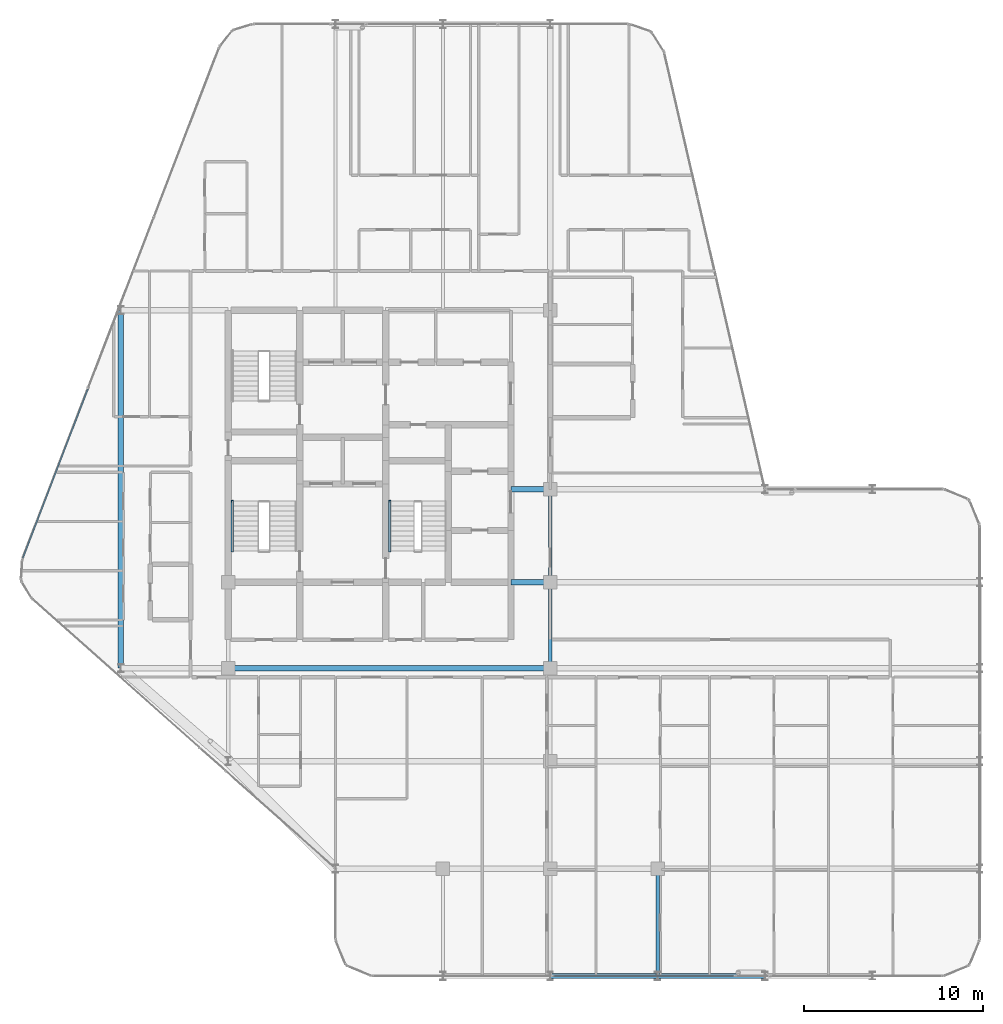
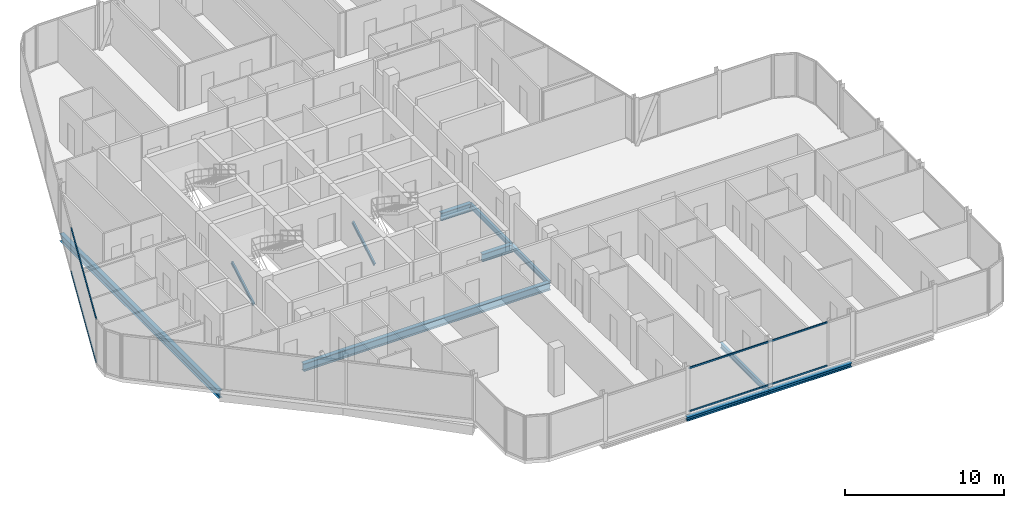
# One storey, part 9 of 29: 9 beams, 6 members, 2 elements without a shape of their own.
"""IFC4 building model written with IfcOpenShell, lengths in metres."""

from ifc_helpers import new_model, si_unit, direction, frame, origin, origin_2d, place, context, subcontext, project, spatial, hollow_rectangle, i_section, extrude, material, layer, layer_set, material_profile, profile_set, type_object, element, aggregate, save


model = new_model("IFC4")

# Units and contexts
model_context = context("Model", 3, precision=1e-05, world=origin(), true_north=direction((0.0, 1.0)))
body_context = subcontext(model_context, "Body", "Model", "MODEL_VIEW")
ifc_project = project(units=[si_unit("LENGTHUNIT", "METRE"), si_unit("AREAUNIT", "SQUARE_METRE"), si_unit("VOLUMEUNIT", "CUBIC_METRE"), si_unit("PLANEANGLEUNIT", "RADIAN"), si_unit("MASSUNIT", "GRAM", prefix="KILO")], contexts=[model_context])

# Site, building, storey
site_placement = place(None, origin())
site = spatial("IfcSite", under=ifc_project, at=site_placement, CompositionType="ELEMENT")
building_placement = place(site_placement, origin())
building = spatial("IfcBuilding", under=site, at=building_placement, Name="Keshet Zoharim Tower", CompositionType="ELEMENT")
storey_placement = place(building_placement, frame((0.0, 0.0, 222.800048828125)))
storey = spatial("IfcBuildingStorey", under=building, at=storey_placement, Name="L55", CompositionType="ELEMENT", Elevation=222.800048828125)

# Beams
ifc_material_1 = material(Name="Steel S355", Category="steel")
ifc_material_profile_1 = material_profile(ifc_material_1, i_section(OverallWidth=0.300048828125, OverallDepth=0.60009765625, WebThickness=0.015380859375, FlangeThickness=0.030029296875, FilletRadius=0.027099609375, at=origin_2d()), Name="HEB600")
ifc_profile_set_1 = profile_set([ifc_material_profile_1], Name="Steel S355")
beam_type_1 = type_object("IfcBeamType", Name="BM-CLK-HB600", PredefinedType="BEAM", material=ifc_profile_set_1)
for number, where, z_axis, x_axis, name in (
    (1, (30.800048828125, 22.699951171875, -0.610107421875), (1.0, 0.0, 0.0), (0.0, 1.0, 0.0), "L55 Core Wall Link Girder 01"),
    (2, (30.800048828125, 27.89990234375, -0.610107421875), (1.0, 0.0, 0.0), (0.0, 1.0, 0.0), "L55 Core Wall Link Girder 02"),
):
    element("IfcBeam", number, at=place(storey_placement, frame(where, z_axis=z_axis, x_axis=x_axis)), inside=storey, type_object=beam_type_1, Name=name, PredefinedType="BEAM", context=body_context, shape_type="SweptSolid", body=[
        extrude(i_section(OverallWidth=0.300048828125, OverallDepth=0.60009765625, WebThickness=0.015380859375, FlangeThickness=0.030029296875, FilletRadius=0.027099609375, at=origin_2d()), origin(), (0.0, 0.0, 1.0), 2.199951171875),
    ])
ifc_material_profile_2 = material_profile(ifc_material_1, i_section(OverallWidth=0.300048828125, OverallDepth=0.60009765625, WebThickness=0.015380859375, FlangeThickness=0.030029296875, FilletRadius=0.027099609375, at=origin_2d()), Name="HEB600")
ifc_profile_set_2 = profile_set([ifc_material_profile_2], Name="Steel S355")
beam_type_2 = type_object("IfcBeamType", Name="BM-LNG-HB600", PredefinedType="BEAM", material=ifc_profile_set_2)
beam_1_placement = place(storey_placement, frame((15.0, 17.89990234375, -0.610107421875), z_axis=(1.0, 0.0, 0.0), x_axis=(0.0, 1.0, 0.0)))
element("IfcBeam", 3, at=beam_1_placement, inside=storey, type_object=beam_type_2, Name="L55 Primary Girder X-012", PredefinedType="BEAM", context=body_context, shape_type="SweptSolid", body=[
    extrude(i_section(OverallWidth=0.300048828125, OverallDepth=0.60009765625, WebThickness=0.015380859375, FlangeThickness=0.030029296875, FilletRadius=0.027099609375, at=origin_2d()), origin(), (0.0, 0.0, 1.0), 18.0),
])
beam_2_placement = place(storey_placement, frame((9.0, 17.89990234375, -0.610107421875), z_axis=(0.0, 1.0, 0.0), x_axis=(-1.0, 0.0, 0.0)))
element("IfcBeam", 4, at=beam_2_placement, inside=storey, type_object=beam_type_2, Name="L55 Primary Girder Y-001", PredefinedType="BEAM", context=body_context, shape_type="SweptSolid", body=[
    extrude(i_section(OverallWidth=0.300048828125, OverallDepth=0.60009765625, WebThickness=0.015380859375, FlangeThickness=0.030029296875, FilletRadius=0.027099609375, at=origin_2d()), origin(), (0.0, 0.0, 1.0), 20.0),
])
ifc_material_profile_3 = material_profile(ifc_material_1, i_section(OverallWidth=0.300048828125, OverallDepth=0.300048828125, WebThickness=0.010986328125, FlangeThickness=0.01904296875, FilletRadius=0.027099609375, at=origin_2d()), Name="HEB300")
ifc_profile_set_3 = profile_set([ifc_material_profile_3], Name="Steel S355")
beam_type_3 = type_object("IfcBeamType", Name="BM-PRI-HB300", PredefinedType="BEAM", material=ifc_profile_set_3)
for number, where, z_axis, x_axis, name in (
    (5, (33.0, 0.699951171875, -0.4599609375), (1.0, 0.0, 0.0), (0.0, 1.0, 0.0), "L55 Primary Girder X-002"),
    (6, (39.0, 0.699951171875, -0.4599609375), (1.0, 0.0, 0.0), (0.0, 1.0, 0.0), "L55 Primary Girder X-003"),
):
    element("IfcBeam", number, at=place(storey_placement, frame(where, z_axis=z_axis, x_axis=x_axis)), inside=storey, type_object=beam_type_3, Name=name, PredefinedType="BEAM", context=body_context, shape_type="SweptSolid", body=[
        extrude(i_section(OverallWidth=0.300048828125, OverallDepth=0.300048828125, WebThickness=0.010986328125, FlangeThickness=0.01904296875, FilletRadius=0.027099609375, at=origin_2d()), origin(), (0.0, 0.0, 1.0), 6.0),
    ])
ifc_material_profile_4 = material_profile(ifc_material_1, i_section(OverallWidth=0.179931640625, OverallDepth=0.39990234375, WebThickness=0.008544921875, FlangeThickness=0.013427734375, FilletRadius=0.02099609375, at=origin_2d()), Name="IPE400")
ifc_profile_set_4 = profile_set([ifc_material_profile_4], Name="Steel S355")
beam_type_4 = type_object("IfcBeamType", Name="BM-PRI-IP400", PredefinedType="BEAM", material=ifc_profile_set_4)
beam_3_placement = place(storey_placement, frame((33.0, 17.89990234375, -0.510009765625), z_axis=(0.0, 1.0, 0.0), x_axis=(-1.0, 0.0, 0.0)))
element("IfcBeam", 7, at=beam_3_placement, inside=storey, type_object=beam_type_4, Name="L55 Primary Girder Y-008", PredefinedType="BEAM", context=body_context, shape_type="SweptSolid", body=[
    extrude(i_section(OverallWidth=0.179931640625, OverallDepth=0.39990234375, WebThickness=0.008544921875, FlangeThickness=0.013427734375, FilletRadius=0.02099609375, at=origin_2d()), origin(), (0.0, 0.0, 1.0), 4.800048828125),
])
beam_4_placement = place(storey_placement, frame((33.0, 22.699951171875, -0.510009765625), z_axis=(0.0, 1.0, 0.0), x_axis=(-1.0, 0.0, 0.0)))
element("IfcBeam", 8, at=beam_4_placement, inside=storey, type_object=beam_type_4, Name="L55 Primary Girder Y-009", PredefinedType="BEAM", context=body_context, shape_type="SweptSolid", body=[
    extrude(i_section(OverallWidth=0.179931640625, OverallDepth=0.39990234375, WebThickness=0.008544921875, FlangeThickness=0.013427734375, FilletRadius=0.02099609375, at=origin_2d()), origin(), (0.0, 0.0, 1.0), 5.199951171875),
])
beam_5_placement = place(storey_placement, frame((39.0, 0.699951171875, -0.510009765625), z_axis=(0.0, 1.0, 0.0), x_axis=(-1.0, 0.0, 0.0)))
element("IfcBeam", 9, at=beam_5_placement, inside=storey, type_object=beam_type_4, Name="L55 Primary Girder Y-012", PredefinedType="BEAM", context=body_context, shape_type="SweptSolid", body=[
    extrude(i_section(OverallWidth=0.179931640625, OverallDepth=0.39990234375, WebThickness=0.008544921875, FlangeThickness=0.013427734375, FilletRadius=0.02099609375, at=origin_2d()), origin(), (0.0, 0.0, 1.0), 6.0),
])

# Curtain wall, members
ifc_material_2 = material(Name="Aluminium 6063-T6", Category="aluminium")
ifc_layer = layer(ifc_material_2, 0.139892578125)
ifc_layer_set = layer_set([ifc_layer], Name="Aluminium 6063-T6")
curtain_wall_type = type_object("IfcCurtainWallType", Name="CW-SYS-05", PredefinedType="NOTDEFINED", material=ifc_layer_set)
curtain_wall_1_placement = place(storey_placement, origin())
curtain_wall_1 = element("IfcCurtainWall", 10, at=curtain_wall_1_placement, inside=storey, type_object=curtain_wall_type, Name="L55 Unitised Curtain Wall 06 Part 3", PredefinedType="NOTDEFINED")
ifc_material_profile_5 = material_profile(ifc_material_2, hollow_rectangle(XDim=0.074951171875, YDim=0.1201171875, WallThickness=0.00390625, at=origin_2d()), Name="TRN-75x120")
ifc_profile_set_5 = profile_set([ifc_material_profile_5], Name="Aluminium 6063-T6")
member_type_1 = type_object("IfcMemberType", Name="CWT-T12", PredefinedType="USERDEFINED", material=ifc_profile_set_5)
member_1_placement = place(storey_placement, frame((43.275146484375, 0.699951171875, 0.034912109375), z_axis=(-1.0, 0.0, 0.0), x_axis=(0.0, -1.0, 0.0)))
member_1 = element("IfcMember", 11, at=member_1_placement, type_object=member_type_1, Name="CW-05 transom 1.1", ObjectType="TRANSOM", PredefinedType="USERDEFINED", context=body_context, shape_type="SweptSolid", body=[
    extrude(hollow_rectangle(XDim=0.074951171875, YDim=0.1201171875, WallThickness=0.00390625, at=origin_2d()), origin(), (0.0, 0.0, 1.0), 10.1025390625),
])
member_2_placement = place(storey_placement, frame((43.275146484375, 0.699951171875, 3.35498046875), z_axis=(-1.0, 0.0, 0.0), x_axis=(0.0, -1.0, 0.0)))
member_2 = element("IfcMember", 12, at=member_2_placement, type_object=member_type_1, Name="CW-05 transom 1.2", ObjectType="TRANSOM", PredefinedType="USERDEFINED", context=body_context, shape_type="SweptSolid", body=[
    extrude(hollow_rectangle(XDim=0.074951171875, YDim=0.1201171875, WallThickness=0.00390625, at=origin_2d()), origin(), (0.0, 0.0, 1.0), 10.1025390625),
])
aggregate(curtain_wall_1, [member_1, member_2])

curtain_wall_2_placement = place(storey_placement, origin())
curtain_wall_2 = element("IfcCurtainWall", 13, at=curtain_wall_2_placement, inside=storey, type_object=curtain_wall_type, Name="L55 Unitised Curtain Wall 13", PredefinedType="NOTDEFINED")
member_3_placement = place(storey_placement, frame((3.522216796875, 24.058349609375, 0.034912109375), z_axis=(0.358993631387, 0.93334000912, 0.0), x_axis=(-0.93334000912, 0.358993631387, 0.0)))
member_3 = element("IfcMember", 14, at=member_3_placement, type_object=member_type_1, Name="CW-05 transom 1.1", ObjectType="TRANSOM", PredefinedType="USERDEFINED", context=body_context, shape_type="SweptSolid", body=[
    extrude(hollow_rectangle(XDim=0.074951171875, YDim=0.1201171875, WallThickness=0.00390625, at=origin_2d()), origin(), (0.0, 0.0, 1.0), 10.1181640625),
])
member_4_placement = place(storey_placement, frame((3.522216796875, 24.058349609375, 3.35498046875), z_axis=(0.358993631387, 0.93334000912, 0.0), x_axis=(-0.93334000912, 0.358993631387, 0.0)))
member_4 = element("IfcMember", 15, at=member_4_placement, type_object=member_type_1, Name="CW-05 transom 1.2", ObjectType="TRANSOM", PredefinedType="USERDEFINED", context=body_context, shape_type="SweptSolid", body=[
    extrude(hollow_rectangle(XDim=0.074951171875, YDim=0.1201171875, WallThickness=0.00390625, at=origin_2d()), origin(), (0.0, 0.0, 1.0), 10.1181640625),
])
aggregate(curtain_wall_2, [member_3, member_4])

# Members
ifc_material_profile_6 = material_profile(ifc_material_1, i_section(OverallWidth=0.1201171875, OverallDepth=0.239990234375, WebThickness=0.006103515625, FlangeThickness=0.009765625, FilletRadius=0.014892578125, at=origin_2d()), Name="IPE240")
ifc_profile_set_6 = profile_set([ifc_material_profile_6], Name="Steel S355")
member_type_2 = type_object("IfcMemberType", Name="MB-STRG-IP240", PredefinedType="STRINGER", material=ifc_profile_set_6)
for number, where, z_axis, x_axis, name in (
    (16, (15.22998046875, 24.43994140625, 0.119873046875), (0.0, 0.86689568745, 0.49848958573), (-1.0, 0.0, 0.0), "L55 ST-01 Flight Steel Stringer"),
    (17, (24.030029296875, 24.43994140625, 0.119873046875), (0.0, 0.86689568745, 0.49848958573), (-1.0, 0.0, 0.0), "L55 ST-03 Flight Steel Stringer"),
):
    element("IfcMember", number, at=place(storey_placement, frame(where, z_axis=z_axis, x_axis=x_axis)), inside=storey, type_object=member_type_2, Name=name, PredefinedType="STRINGER", context=body_context, shape_type="SweptSolid", body=[
        extrude(i_section(OverallWidth=0.1201171875, OverallDepth=0.239990234375, WebThickness=0.006103515625, FlangeThickness=0.009765625, FilletRadius=0.014892578125, at=origin_2d()), origin(), (0.0, 0.0, 1.0), 3.22998046875),
    ])

save(model, "model.ifc")
